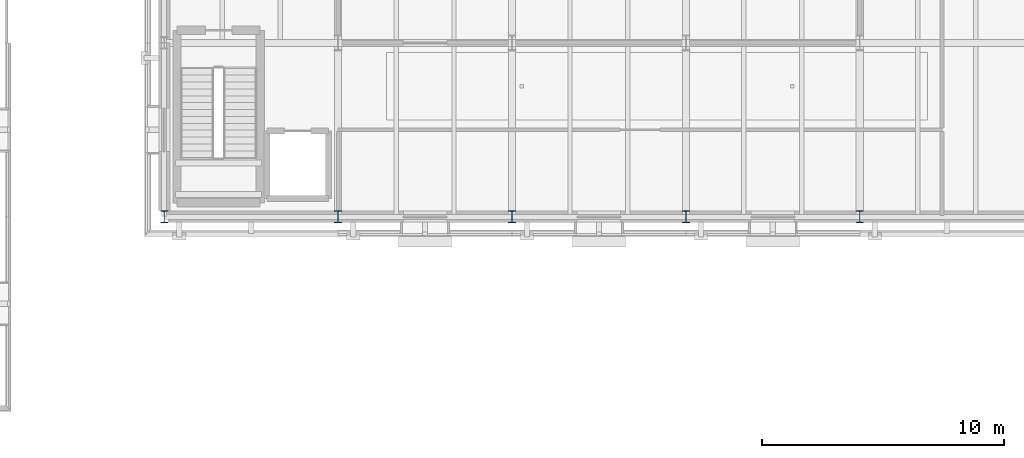
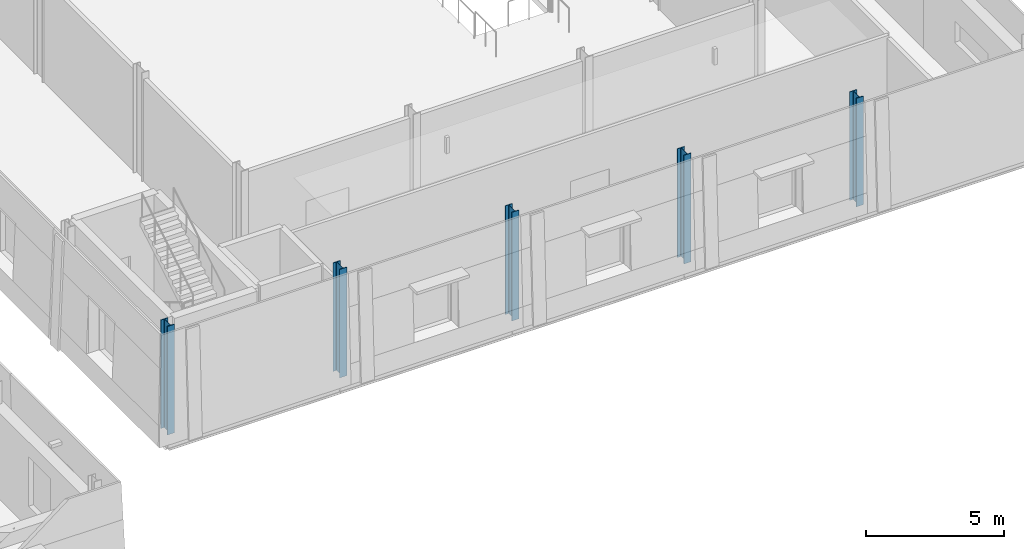
# One storey, part 6 of 121: 5 columns.
"""IFC4 building model written with IfcOpenShell, lengths in metres."""

from ifc_helpers import new_model, si_unit, direction, frame, origin, origin_2d, place, context, subcontext, project, spatial, i_section, extrude, material, material_profile, profile_set, type_object, element, save


model = new_model("IFC4")

# Units and contexts
model_context = context("Model", 3, precision=1e-05, world=origin(), true_north=direction((0.0, 1.0)))
body_context = subcontext(model_context, "Body", "Model", "MODEL_VIEW")
ifc_project = project(units=[si_unit("LENGTHUNIT", "METRE"), si_unit("AREAUNIT", "SQUARE_METRE"), si_unit("VOLUMEUNIT", "CUBIC_METRE"), si_unit("PLANEANGLEUNIT", "RADIAN"), si_unit("MASSUNIT", "GRAM", prefix="KILO")], contexts=[model_context])

# Site, building, storey
site_placement = place(None, origin())
site = spatial("IfcSite", under=ifc_project, at=site_placement, CompositionType="ELEMENT")
building_placement = place(site_placement, origin())
building = spatial("IfcBuilding", under=site, at=building_placement, Name="Narikvali Park Central Library", CompositionType="ELEMENT")
storey_placement = place(building_placement, frame((0.0, 0.0, 5.39990234375)))
storey = spatial("IfcBuildingStorey", under=building, at=storey_placement, Name="L01", CompositionType="ELEMENT", Elevation=5.39990234375)

# Columns
ifc_material = material(Name="Steel S355", Category="steel")
ifc_material_profile = material_profile(ifc_material, i_section(OverallWidth=0.300048828125, OverallDepth=0.5, WebThickness=0.014404296875, FlangeThickness=0.028076171875, FilletRadius=0.027099609375, at=origin_2d()), Name="HEB 500")
ifc_profile_set = profile_set([ifc_material_profile], Name="Steel S355")
column_type = type_object("IfcColumnType", Name="Steel Column HEB500", PredefinedType="COLUMN", material=ifc_profile_set)
for number, where, z_axis, x_axis, name in (
    (1, (64.800048828125, 57.60009765625, 0.0), (0.0, 0.0, 1.0), (1.0, 0.0, 0.0), "V1 L01 Column (64.8,57.6)"),
    (2, (72.0, 57.60009765625, 0.0), (0.0, 0.0, 1.0), (1.0, 0.0, 0.0), "V1 L01 Column (72.0,57.6)"),
    (3, (79.199951171875, 57.60009765625, 0.0), (0.0, 0.0, 1.0), (1.0, 0.0, 0.0), "V1 L01 Column (79.2,57.6)"),
    (4, (86.39990234375, 57.60009765625, 0.0), (0.0, 0.0, 1.0), (1.0, 0.0, 0.0), "V1 L01 Column (86.4,57.6)"),
    (5, (93.60009765625, 57.60009765625, 0.0), (0.0, 0.0, 1.0), (1.0, 0.0, 0.0), "V1 L01 Column (93.6,57.6)"),
):
    element("IfcColumn", number, at=place(storey_placement, frame(where, z_axis=z_axis, x_axis=x_axis)), inside=storey, type_object=column_type, Name=name, PredefinedType="COLUMN", context=body_context, shape_type="SweptSolid", body=[
        extrude(i_section(OverallWidth=0.300048828125, OverallDepth=0.5, WebThickness=0.014404296875, FlangeThickness=0.028076171875, FilletRadius=0.027099609375, at=origin_2d()), origin(), (0.0, 0.0, 1.0), 4.800048828125),
    ])

save(model, "model.ifc")
